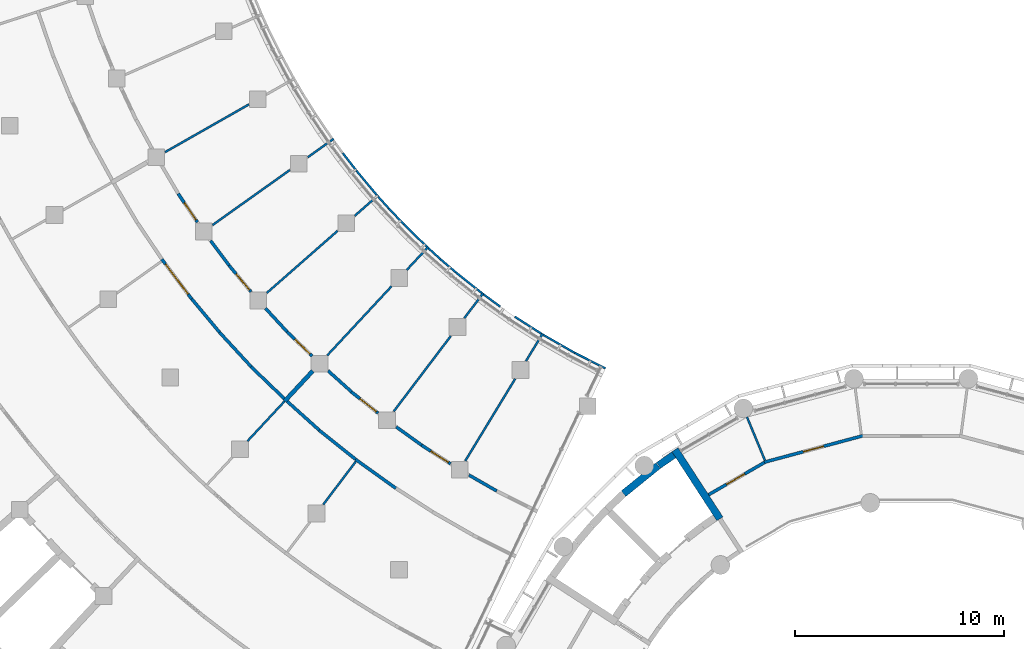
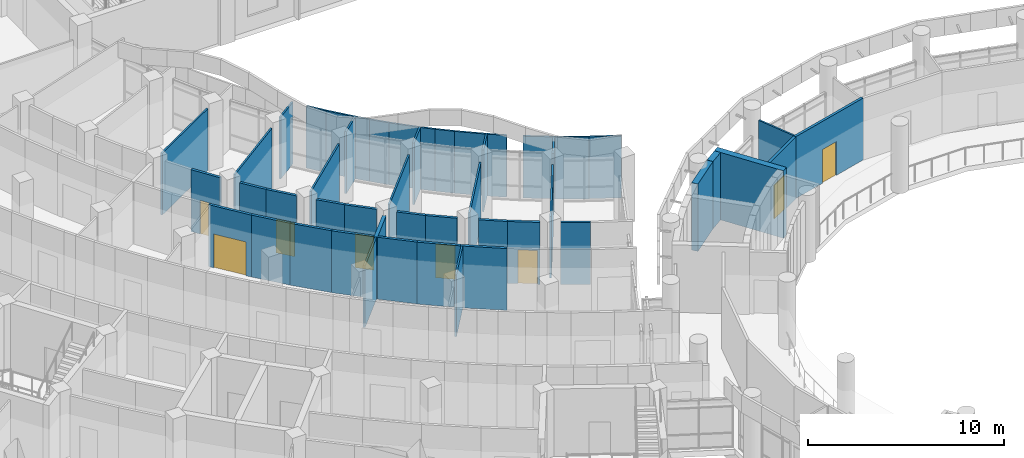
# One storey, part 55 of 109: 49 walls, 8 doors, 8 openings.
"""IFC4 building model written with IfcOpenShell, lengths in metres."""

import ifcopenshell
import ifcopenshell.guid

model = None  # the IFC model being written
_history = None  # IfcOwnerHistory: only IFC2X3 demands one
_inside = {}  # id of a spatial element -> (the spatial element, [elements in it])
_under = {}  # id of a project, library or spatial element -> (it, [spatial elements below it])
_declared = {}  # id of a project -> (the project, [libraries it declares])
_typed = {}  # id of a type object -> (the type object, [elements of that type])
_made_of = {}  # id of a material, layer set ... -> (it, [elements and type objects made of it])


def new_model(schema):
    """Start an empty IFC model of exactly this schema.

    Asked for "IFC4X3", IfcOpenShell would pick the latest addendum, in which some entities
    have other attributes; the version numbers below select the first issue.
    IFC2X3 requires an IfcOwnerHistory on every rooted entity: one is made here for all.
    """
    global model, _history
    if schema == "IFC4X3":
        model = ifcopenshell.file(schema_version=(4, 3, 0, 0))
    else:
        model = ifcopenshell.file(schema=schema)
    _inside.clear()
    _under.clear()
    _declared.clear()
    _typed.clear()
    _made_of.clear()
    _history = None
    if model.schema == "IFC2X3":
        org = make("IfcOrganization", Name="unknown")
        user = make(
            "IfcPersonAndOrganization",
            ThePerson=make("IfcPerson", FamilyName="unknown"),
            TheOrganization=org,
        )
        app = make(
            "IfcApplication",
            ApplicationDeveloper=org,
            Version="unknown",
            ApplicationFullName="unknown",
            ApplicationIdentifier="unknown",
        )
        _history = make(
            "IfcOwnerHistory",
            OwningUser=user,
            OwningApplication=app,
            ChangeAction="ADDED",
            CreationDate=0,
        )
    return model


def make(cls, **values):
    """One entity of the class cls with the attributes given. An attribute that is None is left unset."""
    return model.create_entity(
        cls, **{name: value for name, value in values.items() if value is not None}
    )


def rooted(cls, **values):
    """An entity with a GlobalId (a new one), such as an element, a storey or a relation."""
    return make(cls, GlobalId=ifcopenshell.guid.new(), OwnerHistory=_history, **values)


def si_unit(unit_type, name, prefix=None):
    """IfcSIUnit, for example si_unit("LENGTHUNIT", "METRE", prefix="MILLI")."""
    return make("IfcSIUnit", UnitType=unit_type, Prefix=prefix, Name=name)


def assignment(units):
    """IfcUnitAssignment: the units of a project."""
    return None if units is None else make("IfcUnitAssignment", Units=units)


def point(xyz):
    """IfcCartesianPoint."""
    return None if xyz is None else make("IfcCartesianPoint", Coordinates=xyz)


def direction(xyz):
    """IfcDirection."""
    return None if xyz is None else make("IfcDirection", DirectionRatios=xyz)


def frame(location, z_axis=None, x_axis=None):
    """IfcAxis2Placement3D, a coordinate frame: its origin and axes. An axis left out is left unset."""
    return make(
        "IfcAxis2Placement3D",
        Location=point(location),
        Axis=direction(z_axis),
        RefDirection=direction(x_axis),
    )


def frame_2d(location, x_axis=None):
    """IfcAxis2Placement2D, a coordinate frame in the plane: its origin and x axis."""
    return make(
        "IfcAxis2Placement2D", Location=point(location), RefDirection=direction(x_axis)
    )


def origin():
    """The frame at (0, 0, 0) with its axes left unset."""
    return frame((0.0, 0.0, 0.0))


def place(relative_to, where):
    """IfcLocalPlacement: puts the frame where relative to a parent placement (None: the world)."""
    return make(
        "IfcLocalPlacement", PlacementRelTo=relative_to, RelativePlacement=where
    )


def context(
    kind, dimensions, precision=None, world=None, true_north=None, identifier=None
):
    """IfcGeometricRepresentationContext, for example the 3D "Model" context."""
    return make(
        "IfcGeometricRepresentationContext",
        ContextIdentifier=identifier,
        ContextType=kind,
        CoordinateSpaceDimension=dimensions,
        Precision=precision,
        WorldCoordinateSystem=world,
        TrueNorth=true_north,
    )


def subcontext(parent, identifier, kind, view, scale=None):
    """IfcGeometricRepresentationSubContext, for example "Body" below "Model"."""
    return make(
        "IfcGeometricRepresentationSubContext",
        ContextIdentifier=identifier,
        ContextType=kind,
        ParentContext=parent,
        TargetScale=scale,
        TargetView=view,
    )


def project(units=None, contexts=None):
    """IfcProject with its units and contexts."""
    return rooted(
        "IfcProject",
        Name="project",
        RepresentationContexts=contexts,
        UnitsInContext=assignment(units),
    )


def spatial(cls, under=None, at=None, **own):
    """A site, building, storey or space (cls), placed at a placement, below another one or the project."""
    s = rooted(cls, ObjectPlacement=at, **own)
    if under is not None:
        _under.setdefault(under.id(), (under, []))[1].append(s)
    return s


def profile(cls, at=None, kind="AREA", **sizes):
    """A parametric profile (cls). Its sizes go by their IFC names, for example OverallWidth=200.0."""
    return make(cls, ProfileType=kind, Position=at, **sizes)


def rectangle(**sizes):
    """IfcRectangleProfileDef."""
    return profile("IfcRectangleProfileDef", **sizes)


def extrude(swept, where, along, depth):
    """IfcExtrudedAreaSolid: the profile swept, set in the frame where, extruded along a direction by depth."""
    return make(
        "IfcExtrudedAreaSolid",
        SweptArea=swept,
        Position=where,
        ExtrudedDirection=direction(along),
        Depth=depth,
    )


def shape(context_of_items, identifier, shape_type, items):
    """IfcShapeRepresentation: the items that make up one representation, for example the "Body"."""
    return make(
        "IfcShapeRepresentation",
        ContextOfItems=context_of_items,
        RepresentationIdentifier=identifier,
        RepresentationType=shape_type,
        Items=items,
    )


def material(Name=None, Category=None):
    """IfcMaterial."""
    return make("IfcMaterial", Name=Name, Category=Category)


def layer(
    of_material, thickness, ventilated=None, Name=None, Category=None, Priority=None
):
    """IfcMaterialLayer: one layer of a wall or slab, of a material (None: an air gap)."""
    return make(
        "IfcMaterialLayer",
        Material=of_material,
        LayerThickness=thickness,
        IsVentilated=ventilated,
        Name=Name,
        Category=Category,
        Priority=Priority,
    )


def layer_set(layers, Name=None):
    """IfcMaterialLayerSet."""
    return make("IfcMaterialLayerSet", MaterialLayers=layers, LayerSetName=Name)


def made_of(thing, what):
    """Note that an element or type object is made of a material, layer set ...; save() writes the relation."""
    if what is not None:
        _made_of.setdefault(what.id(), (what, []))[1].append(thing)
    return thing


def type_object(cls, material=None, **own):
    """A type object (cls), such as IfcWallType, which elements share."""
    return made_of(rooted(cls, **own), material)


def element(
    cls,
    number,
    at=None,
    inside=None,
    cuts=None,
    type_object=None,
    material=None,
    context=None,
    identifier="Body",
    shape_type=None,
    held_by="IfcProductDefinitionShape",
    body=None,
    shapes=None,
    **own,
):
    """One element of the class cls, such as IfcWall. Its Tag is "e" and its number.

    at: its placement. inside: the storey or other place that contains it. cuts: it is an
    opening in that element (IfcRelVoidsElement). A single representation is given by context,
    identifier, shape_type and body (its items); several are given by shapes. held_by: the class
    of the entity that holds the representations. save() writes the other relations.
    """
    e = rooted(cls, Tag="e%d" % number, ObjectPlacement=at, **own)
    if body is not None:
        shapes = [shape(context, identifier, shape_type, body)]
    if shapes is not None:
        e.Representation = make(held_by, Representations=shapes)
    if inside is not None:
        _inside.setdefault(inside.id(), (inside, []))[1].append(e)
    if cuts is not None:
        rooted(
            "IfcRelVoidsElement", RelatingBuildingElement=cuts, RelatedOpeningElement=e
        )
    if type_object is not None:
        _typed.setdefault(type_object.id(), (type_object, []))[1].append(e)
    return made_of(e, material)


def fill(opening, filler):
    """IfcRelFillsElement: the door or window that sits in an opening."""
    return rooted(
        "IfcRelFillsElement",
        RelatingOpeningElement=opening,
        RelatedBuildingElement=filler,
    )


def aggregate(whole, parts):
    """IfcRelAggregates: a whole, such as a stair, and the parts it consists of."""
    return rooted("IfcRelAggregates", RelatingObject=whole, RelatedObjects=parts)


def save(model, path):
    """Write the relations noted so far, then the file.

    IfcRelAggregates (storeys below a building ...), IfcRelContainedInSpatialStructure (elements
    in a storey), IfcRelDefinesByType, IfcRelAssociatesMaterial and IfcRelDeclares: one each for
    every whole, place, type object, material and project.
    """
    for whole, parts in _under.values():
        aggregate(whole, parts)
    for where, things in _inside.values():
        rooted(
            "IfcRelContainedInSpatialStructure",
            RelatedElements=things,
            RelatingStructure=where,
        )
    for kind, things in _typed.values():
        rooted("IfcRelDefinesByType", RelatedObjects=things, RelatingType=kind)
    for what, things in _made_of.values():
        rooted("IfcRelAssociatesMaterial", RelatedObjects=things, RelatingMaterial=what)
    for by, libraries in _declared.values():
        rooted("IfcRelDeclares", RelatingContext=by, RelatedDefinitions=libraries)
    model.write(path)


model = new_model("IFC4")

# Units and contexts
model_context = context("Model", 3, precision=1e-05, world=origin(), true_north=direction((0.0, 1.0)))
body_context = subcontext(model_context, "Body", "Model", "MODEL_VIEW")
ifc_project = project(units=[si_unit("LENGTHUNIT", "METRE"), si_unit("AREAUNIT", "SQUARE_METRE"), si_unit("VOLUMEUNIT", "CUBIC_METRE"), si_unit("PLANEANGLEUNIT", "RADIAN"), si_unit("MASSUNIT", "GRAM", prefix="KILO")], contexts=[model_context])

# Site, building, storey
site_placement = place(None, origin())
site = spatial("IfcSite", under=ifc_project, at=site_placement, CompositionType="ELEMENT")
building_placement = place(site_placement, origin())
building = spatial("IfcBuilding", under=site, at=building_placement, Name="Bougainvillea Quay General Hospital", CompositionType="ELEMENT")
storey_placement = place(building_placement, frame((0.0, 0.0, 12.60009765625)))
storey = spatial("IfcBuildingStorey", under=building, at=storey_placement, Name="L02", CompositionType="ELEMENT", Elevation=12.60009765625)

# Walls
ifc_material_1 = material(Name="Gypsum board partition on steel studs", Category="steel")
ifc_layer_1 = layer(ifc_material_1, 0.10009765625)
ifc_layer_set_1 = layer_set([ifc_layer_1], Name="Gypsum board partition on steel studs")
wall_type_1 = type_object("IfcWallType", Name="Partition 100 Gypsum board partition EI 30", PredefinedType="PARTITIONING", material=ifc_layer_set_1)
wall_1_placement = place(storey_placement, frame((84.418212890625, 93.260498046875, 0.0), z_axis=(0.0, 0.0, 1.0), x_axis=(0.603501117064, 0.797362152163, 0.0)))
element("IfcWall", 1, at=wall_1_placement, inside=storey, type_object=wall_type_1, Name="Partition 100 mm EI 30", PredefinedType="PARTITIONING", context=body_context, shape_type="SweptSolid", body=[
    extrude(rectangle(XDim=4.5224609375, YDim=0.10009765625, at=frame_2d((2.26123046875, 0.0))), origin(), (0.0, 0.0, 1.0), 3.849853515625),
])
wall_2_placement = place(storey_placement, frame((87.7978515625, 97.7255859375, 0.0), z_axis=(0.0, 0.0, 1.0), x_axis=(0.603534256712, 0.797337068607, 0.0)))
element("IfcWall", 2, at=wall_2_placement, inside=storey, type_object=wall_type_1, Name="Partition 100 mm EI 30", PredefinedType="PARTITIONING", context=body_context, shape_type="SweptSolid", body=[
    extrude(rectangle(XDim=1.51171875, YDim=0.10009765625, at=frame_2d((0.755859375, 0.0))), origin(), (0.0, 0.0, 1.0), 3.849853515625),
])
wall_3_placement = place(storey_placement, frame((78.338134765625, 98.93310546875, 0.0), z_axis=(0.0, 0.0, 1.0), x_axis=(0.751823288541, 0.659364650863, 0.0)))
element("IfcWall", 3, at=wall_3_placement, inside=storey, type_object=wall_type_1, Name="Partition 100 mm EI 30", PredefinedType="PARTITIONING", context=body_context, shape_type="SweptSolid", body=[
    extrude(rectangle(XDim=4.49951171875, YDim=0.10009765625, at=frame_2d((2.249755859375, 0.0))), origin(), (0.0, 0.0, 1.0), 3.849853515625),
])
wall_4_placement = place(storey_placement, frame((82.54931640625, 102.626220703125, 0.0), z_axis=(0.0, 0.0, 1.0), x_axis=(0.751798799024, 0.659392573347, 0.0)))
element("IfcWall", 4, at=wall_4_placement, inside=storey, type_object=wall_type_1, Name="Partition 100 mm EI 30", PredefinedType="PARTITIONING", context=body_context, shape_type="SweptSolid", body=[
    extrude(rectangle(XDim=1.498046875, YDim=0.10009765625, at=frame_2d((0.7490234375, 0.0))), origin(), (0.0, 0.0, 1.0), 3.849853515625),
])
wall_5_placement = place(storey_placement, frame((87.83984375, 90.884521484375, 0.0), z_axis=(0.0, 0.0, 1.0), x_axis=(0.519618801015, 0.854398210223, 0.0)))
element("IfcWall", 5, at=wall_5_placement, inside=storey, type_object=wall_type_1, Name="Partition 100 mm EI 30", PredefinedType="PARTITIONING", context=body_context, shape_type="SweptSolid", body=[
    extrude(rectangle(XDim=4.60302734375, YDim=0.10009765625, at=frame_2d((2.301513671875, 0.0))), origin(), (0.0, 0.0, 1.0), 3.849853515625),
])
wall_6_placement = place(storey_placement, frame((90.74951171875, 95.66845703125, 0.0), z_axis=(0.0, 0.0, 1.0), x_axis=(0.519552672181, 0.854438424247, 0.0)))
element("IfcWall", 6, at=wall_6_placement, inside=storey, type_object=wall_type_1, Name="Partition 100 mm EI 30", PredefinedType="PARTITIONING", context=body_context, shape_type="SweptSolid", body=[
    extrude(rectangle(XDim=1.552001953125, YDim=0.10009765625, at=frame_2d((0.77587890625, 0.0))), origin(), (0.0, 0.0, 1.0), 3.849853515625),
])
wall_7_placement = place(storey_placement, frame((75.736328125, 102.18310546875, 0.0), z_axis=(0.0, 0.0, 1.0), x_axis=(0.8147152487, 0.579861245072, 0.0)))
element("IfcWall", 7, at=wall_7_placement, inside=storey, type_object=wall_type_1, Name="Partition 100 mm EI 30", PredefinedType="PARTITIONING", context=body_context, shape_type="SweptSolid", body=[
    extrude(rectangle(XDim=4.548095703125, YDim=0.10009765625, at=frame_2d((2.27392578125, 0.0))), origin(), (0.0, 0.0, 1.0), 3.849853515625),
])
wall_8_placement = place(storey_placement, frame((80.29833984375, 105.430419921875, 0.0), z_axis=(0.0, 0.0, 1.0), x_axis=(0.814728250396, 0.579842977027, 0.0)))
element("IfcWall", 8, at=wall_8_placement, inside=storey, type_object=wall_type_1, Name="Partition 100 mm EI 30", PredefinedType="PARTITIONING", context=body_context, shape_type="SweptSolid", body=[
    extrude(rectangle(XDim=1.523681640625, YDim=0.10009765625, at=frame_2d((0.76171875, 0.0))), origin(), (0.0, 0.0, 1.0), 3.849853515625),
])
wall_9_placement = place(storey_placement, frame((81.22705078125, 95.935302734375, 0.0), z_axis=(0.0, 0.0, 1.0), x_axis=(0.681211440492, 0.732086725288, 0.0)))
element("IfcWall", 9, at=wall_9_placement, inside=storey, type_object=wall_type_1, Name="Partition 100 mm EI 30", PredefinedType="PARTITIONING", context=body_context, shape_type="SweptSolid", body=[
    extrude(rectangle(XDim=4.530029296875, YDim=0.10009765625, at=frame_2d((2.26513671875, 0.0))), origin(), (0.0, 0.0, 1.0), 3.849853515625),
])
wall_10_placement = place(storey_placement, frame((85.041015625, 100.034423828125, 0.0), z_axis=(0.0, 0.0, 1.0), x_axis=(0.681296599079, 0.732007475428, 0.0)))
element("IfcWall", 10, at=wall_10_placement, inside=storey, type_object=wall_type_1, Name="Partition 100 mm EI 30", PredefinedType="PARTITIONING", context=body_context, shape_type="SweptSolid", body=[
    extrude(rectangle(XDim=1.5166015625, YDim=0.10009765625, at=frame_2d((0.75830078125, 0.0))), origin(), (0.0, 0.0, 1.0), 3.849853515625),
])
wall_11_placement = place(storey_placement, frame((73.463134765625, 105.67626953125, 0.0), z_axis=(0.0, 0.0, 1.0), x_axis=(0.8692549769, 0.494364020874, 0.0)))
element("IfcWall", 11, at=wall_11_placement, inside=storey, type_object=wall_type_1, Name="Partition 100 mm EI 30", PredefinedType="PARTITIONING", context=body_context, shape_type="SweptSolid", body=[
    extrude(rectangle(XDim=4.62451171875, YDim=0.10009765625, at=frame_2d((2.312255859375, 0.0))), origin(), (0.0, 0.0, 1.0), 3.849853515625),
])
wall_12_placement = place(storey_placement, frame((77.412109375, 91.83544921875, 0.0), z_axis=(0.0, 0.0, 1.0), x_axis=(0.681147107729, 0.732146582067, 0.0)))
element("IfcWall", 12, at=wall_12_placement, inside=storey, type_object=wall_type_1, Name="Partition 100 mm EI 30", PredefinedType="PARTITIONING", context=body_context, shape_type="SweptSolid", body=[
    extrude(rectangle(XDim=2.60888671875, YDim=0.10009765625, at=frame_2d((1.304443359375, 0.0))), origin(), (0.0, 0.0, 1.0), 3.849853515625),
])
wall_13_placement = place(storey_placement, frame((81.0380859375, 88.795654296875, 0.0), z_axis=(0.0, 0.0, 1.0), x_axis=(0.603561177332, 0.797316690668, 0.0)))
element("IfcWall", 13, at=wall_13_placement, inside=storey, type_object=wall_type_1, Name="Partition 100 mm EI 30", PredefinedType="PARTITIONING", context=body_context, shape_type="SweptSolid", body=[
    extrude(rectangle(XDim=2.58447265625, YDim=0.10009765625, at=frame_2d((1.292236328125, 0.0))), origin(), (0.0, 0.0, 1.0), 3.849853515625),
])
wall_14_placement = place(storey_placement, frame((101.335205078125, 92.98779296875, 0.0), z_axis=(0.0, 0.0, 1.0), x_axis=(0.382736345947, -0.923857613213, 0.0)))
element("IfcWall", 14, at=wall_14_placement, inside=storey, type_object=wall_type_1, Name="Partition 100 mm EI 30", PredefinedType="PARTITIONING", context=body_context, shape_type="SweptSolid", body=[
    extrude(rectangle(XDim=2.24267578125, YDim=0.10009765625, at=frame_2d((1.121337890625, 0.0))), origin(), (0.0, 0.0, 1.0), 3.849853515625),
])
wall_15_placement = place(storey_placement, frame((91.572265625, 96.927734375, 0.0), z_axis=(0.0, 0.0, 1.0), x_axis=(0.867607434085, -0.497249776591, 0.0)))
element("IfcWall", 15, at=wall_15_placement, inside=storey, type_object=wall_type_1, Name="Partition 100 mm EI 30", PredefinedType="PARTITIONING", context=body_context, shape_type="SweptSolid", body=[
    extrude(rectangle(XDim=1.750732421875, YDim=0.10009765625, at=frame_2d((0.87548828125, 0.0))), origin(), (0.0, 0.0, 1.0), 3.849853515625),
])
wall_16_placement = place(storey_placement, frame((93.09033203125, 96.060302734375, 0.0), z_axis=(0.0, 0.0, 1.0), x_axis=(0.891511605142, -0.452997856393, 0.0)))
element("IfcWall", 16, at=wall_16_placement, inside=storey, type_object=wall_type_1, Name="Partition 100 mm EI 30", PredefinedType="PARTITIONING", context=body_context, shape_type="SweptSolid", body=[
    extrude(rectangle(XDim=1.65185546875, YDim=0.10009765625, at=frame_2d((0.825927734375, 0.0))), origin(), (0.0, 0.0, 1.0), 3.849853515625),
])
wall_17_placement = place(storey_placement, frame((87.390869140625, 99.916015625, 0.0), z_axis=(0.0, 0.0, 1.0), x_axis=(0.7827431138, -0.622344934742, 0.0)))
element("IfcWall", 17, at=wall_17_placement, inside=storey, type_object=wall_type_1, Name="Partition 100 mm EI 30", PredefinedType="PARTITIONING", context=body_context, shape_type="SweptSolid", body=[
    extrude(rectangle(XDim=1.59814453125, YDim=0.10009765625, at=frame_2d((0.799072265625, 0.0))), origin(), (0.0, 0.0, 1.0), 3.849853515625),
])
wall_18_placement = place(storey_placement, frame((90.2099609375, 97.798095703125, 0.0), z_axis=(0.0, 0.0, 1.0), x_axis=(0.841976481819, -0.539514229713, 0.0)))
element("IfcWall", 18, at=wall_18_placement, inside=storey, type_object=wall_type_1, Name="Partition 100 mm EI 30", PredefinedType="PARTITIONING", context=body_context, shape_type="SweptSolid", body=[
    extrude(rectangle(XDim=1.51904296875, YDim=0.10009765625, at=frame_2d((0.759521484375, 0.0))), origin(), (0.0, 0.0, 1.0), 3.849853515625),
])
wall_19_placement = place(storey_placement, frame((84.897216796875, 102.223876953125, 0.0), z_axis=(0.0, 0.0, 1.0), x_axis=(0.715491637519, -0.698621297013, 0.0)))
element("IfcWall", 19, at=wall_19_placement, inside=storey, type_object=wall_type_1, Name="Partition 100 mm EI 30", PredefinedType="PARTITIONING", context=body_context, shape_type="SweptSolid", body=[
    extrude(rectangle(XDim=1.54833984375, YDim=0.10009765625, at=frame_2d((0.774169921875, 0.0))), origin(), (0.0, 0.0, 1.0), 3.849853515625),
])
wall_20_placement = place(storey_placement, frame((82.64501953125, 104.768310546875, 0.0), z_axis=(0.0, 0.0, 1.0), x_axis=(0.641529064264, -0.767098728785, 0.0)))
element("IfcWall", 20, at=wall_20_placement, inside=storey, type_object=wall_type_1, Name="Partition 100 mm EI 30", PredefinedType="PARTITIONING", context=body_context, shape_type="SweptSolid", body=[
    extrude(rectangle(XDim=1.4990234375, YDim=0.10009765625, at=frame_2d((0.74951171875, 0.0))), origin(), (0.0, 0.0, 1.0), 3.849853515625),
])
wall_21_placement = place(storey_placement, frame((81.977294921875, 105.62841796875, 0.0), z_axis=(0.0, 0.0, 1.0), x_axis=(0.61437453726, -0.78901452963, 0.0)))
element("IfcWall", 21, at=wall_21_placement, inside=storey, type_object=wall_type_1, Name="Partition 100 mm EI 30", PredefinedType="PARTITIONING", context=body_context, shape_type="SweptSolid", body=[
    extrude(rectangle(XDim=1.09033203125, YDim=0.10009765625, at=frame_2d((0.545166015625, 0.0))), origin(), (0.0, 0.0, 1.0), 3.849853515625),
])
wall_22_placement = place(storey_placement, frame((88.720947265625, 98.861083984375, 0.0), z_axis=(0.0, 0.0, 1.0), x_axis=(0.806061198055, -0.591832193269, 0.0)))
element("IfcWall", 22, at=wall_22_placement, inside=storey, type_object=wall_type_1, Name="Partition 100 mm EI 30", PredefinedType="PARTITIONING", context=body_context, shape_type="SweptSolid", body=[
    extrude(rectangle(XDim=0.99365234375, YDim=0.10009765625, at=frame_2d((0.496826171875, 0.0))), origin(), (0.0, 0.0, 1.0), 3.849853515625),
])
wall_23_placement = place(storey_placement, frame((84.180419921875, 102.97607421875, 0.0), z_axis=(0.0, 0.0, 1.0), x_axis=(0.691094804644, -0.722764118502, 0.0)))
element("IfcWall", 23, at=wall_23_placement, inside=storey, type_object=wall_type_1, Name="Partition 100 mm EI 30", PredefinedType="PARTITIONING", context=body_context, shape_type="SweptSolid", body=[
    extrude(rectangle(XDim=1.040771484375, YDim=0.10009765625, at=frame_2d((0.5205078125, 0.0))), origin(), (0.0, 0.0, 1.0), 3.849853515625),
])
wall_24_placement = place(storey_placement, frame((86.639892578125, 100.5615234375, 0.0), z_axis=(0.0, 0.0, 1.0), x_axis=(0.759638737838, -0.650345283658, 0.0)))
element("IfcWall", 24, at=wall_24_placement, inside=storey, type_object=wall_type_1, Name="Partition 100 mm EI 30", PredefinedType="PARTITIONING", context=body_context, shape_type="SweptSolid", body=[
    extrude(rectangle(XDim=0.99169921875, YDim=0.10009765625, at=frame_2d((0.495849609375, 0.0))), origin(), (0.0, 0.0, 1.0), 3.849853515625),
])
wall_25_placement = place(storey_placement, frame((83.671875, 103.54345703125, 0.0), z_axis=(0.0, 0.0, 1.0), x_axis=(0.66903540409, -0.743230534945, 0.0)))
element("IfcWall", 25, at=wall_25_placement, inside=storey, type_object=wall_type_1, Name="Partition 100 mm EI 30", PredefinedType="PARTITIONING", context=body_context, shape_type="SweptSolid", body=[
    extrude(rectangle(XDim=0.763427734375, YDim=0.10009765625, at=frame_2d((0.3818359375, 0.0))), origin(), (0.0, 0.0, 1.0), 3.849853515625),
])
wall_26_placement = place(storey_placement, frame((86.077392578125, 101.073974609375, 0.0), z_axis=(0.0, 0.0, 1.0), x_axis=(0.740693092669, -0.671843540173, 0.0)))
element("IfcWall", 26, at=wall_26_placement, inside=storey, type_object=wall_type_1, Name="Partition 100 mm EI 30", PredefinedType="PARTITIONING", context=body_context, shape_type="SweptSolid", body=[
    extrude(rectangle(XDim=0.762451171875, YDim=0.10009765625, at=frame_2d((0.38134765625, 0.0))), origin(), (0.0, 0.0, 1.0), 3.849853515625),
])

# Wall, opening, door
ifc_material_2 = material(Name="Gypsum board partition on steel studs, insulated", Category="steel")
ifc_layer_2 = layer(ifc_material_2, 0.14990234375)
ifc_layer_set_2 = layer_set([ifc_layer_2], Name="Gypsum board partition on steel studs, insulated")
wall_type_2 = type_object("IfcWallType", Name="Partition 150 Gypsum board partition EI 30", PredefinedType="PARTITIONING", material=ifc_layer_set_2)
wall_27_placement = place(storey_placement, frame((102.152587890625, 90.820556640625, 0.0), z_axis=(0.0, 0.0, 1.0), x_axis=(0.965901416029, 0.258910128254, 0.0)))
wall_27 = element("IfcWall", 27, at=wall_27_placement, inside=storey, type_object=wall_type_2, Name="Partition 150 mm EI 30", PredefinedType="PARTITIONING", context=body_context, shape_type="SweptSolid", body=[
    extrude(rectangle(XDim=4.908203125, YDim=0.14990234375, at=frame_2d((2.4541015625, 0.0))), origin(), (0.0, 0.0, 1.0), 3.849853515625),
])
opening_1_placement = place(wall_27_placement, frame((1.9541015625, 0.0, 0.0)))
opening_1 = element("IfcOpeningElement", 28, at=opening_1_placement, cuts=wall_27, Name="Opening L02.241", PredefinedType="OPENING", context=body_context, shape_type="SweptSolid", body=[
    extrude(rectangle(XDim=1.0, YDim=2.10009765625, at=frame_2d((0.5, 1.050048828125))), frame((0.0, 0.0849609375, 0.0), z_axis=(0.0, -1.0, 0.0), x_axis=(1.0, 0.0, 0.0)), (0.0, 0.0, 1.0), 0.169921875),
])
ifc_material_3 = material(Name="Solid-core timber door leaf in steel frame", Category="steel")
door_type_1 = type_object("IfcDoorType", Name="Single leaf door 1000x2100 FD30S", OperationType="NOTDEFINED", PredefinedType="DOOR", material=ifc_material_3)
door_1_placement = place(opening_1_placement, origin())
door_1 = element("IfcDoor", 29, at=door_1_placement, inside=storey, type_object=door_type_1, Name="DT15 L02.241", OperationType="SINGLE_SWING_LEFT", OverallHeight=2.10009765625, OverallWidth=1.0, PredefinedType="DOOR", context=body_context, shape_type="SweptSolid", body=[
    extrude(rectangle(XDim=1.0, YDim=2.10009765625, at=frame_2d((0.5, 1.050048828125))), frame((0.0, 0.02490234375, 0.0), z_axis=(0.0, -1.0, 0.0), x_axis=(1.0, 0.0, 0.0)), (0.0, 0.0, 1.0), 0.050048828125),
])
fill(opening_1, door_1)

wall_28_placement = place(storey_placement, frame((99.498779296875, 89.266357421875, 0.0), z_axis=(0.0, 0.0, 1.0), x_axis=(0.866071120369, 0.499920808191, 0.0)))
wall_28 = element("IfcWall", 30, at=wall_28_placement, inside=storey, type_object=wall_type_2, Name="Partition 150 mm EI 30", PredefinedType="PARTITIONING", context=body_context, shape_type="SweptSolid", body=[
    extrude(rectangle(XDim=3.08984375, YDim=0.14990234375, at=frame_2d((1.544921875, 0.0))), origin(), (0.0, 0.0, 1.0), 3.849853515625),
])
opening_2_placement = place(wall_28_placement, frame((0.984619140625, 0.0, 0.0)))
opening_2 = element("IfcOpeningElement", 31, at=opening_2_placement, cuts=wall_28, Name="Opening L02.242", PredefinedType="OPENING", context=body_context, shape_type="SweptSolid", body=[
    extrude(rectangle(XDim=1.0, YDim=2.10009765625, at=frame_2d((0.5, 1.050048828125))), frame((0.0, 0.0849609375, 0.0), z_axis=(0.0, -1.0, 0.0), x_axis=(1.0, 0.0, 0.0)), (0.0, 0.0, 1.0), 0.169921875),
])
door_2_placement = place(opening_2_placement, origin())
door_2 = element("IfcDoor", 32, at=door_2_placement, inside=storey, type_object=door_type_1, Name="DT15 L02.242", OperationType="SINGLE_SWING_LEFT", OverallHeight=2.10009765625, OverallWidth=1.0, PredefinedType="DOOR", context=body_context, shape_type="SweptSolid", body=[
    extrude(rectangle(XDim=1.0, YDim=2.10009765625, at=frame_2d((0.5, 1.050048828125))), frame((0.0, 0.02490234375, 0.0), z_axis=(0.0, -1.0, 0.0), x_axis=(1.0, 0.0, 0.0)), (0.0, 0.0, 1.0), 0.050048828125),
])
fill(opening_2, door_2)

wall_29_placement = place(storey_placement, frame((73.306884765625, 100.547119140625, 0.0), z_axis=(0.0, 0.0, 1.0), x_axis=(0.600377090661, -0.799717043091, 0.0)))
wall_29 = element("IfcWall", 33, at=wall_29_placement, inside=storey, type_object=wall_type_2, Name="Partition 150 mm EI 30", PredefinedType="PARTITIONING", context=body_context, shape_type="SweptSolid", body=[
    extrude(rectangle(XDim=2.382080078125, YDim=0.14990234375, at=frame_2d((1.19091796875, 0.0))), origin(), (0.0, 0.0, 1.0), 3.849853515625),
])
opening_3_placement = place(wall_29_placement, frame((0.291015625, 0.0, 0.0)))
opening_3 = element("IfcOpeningElement", 34, at=opening_3_placement, cuts=wall_29, Name="Opening L02.179", PredefinedType="OPENING", context=body_context, shape_type="SweptSolid", body=[
    extrude(rectangle(XDim=1.800048828125, YDim=2.10009765625, at=frame_2d((0.89990234375, 1.050048828125))), frame((0.0, 0.0849609375, 0.0), z_axis=(0.0, -1.0, 0.0), x_axis=(1.0, 0.0, 0.0)), (0.0, 0.0, 1.0), 0.169921875),
])
ifc_material_4 = material(Name="Solid-core timber door leaves in steel frame", Category="steel")
door_type_2 = type_object("IfcDoorType", Name="Double leaf door 1800x2100", OperationType="DOUBLE_DOOR_SINGLE_SWING", PredefinedType="DOOR", material=ifc_material_4)
door_3_placement = place(opening_3_placement, origin())
door_3 = element("IfcDoor", 35, at=door_3_placement, inside=storey, type_object=door_type_2, Name="DT08 L02.179", OperationType="DOUBLE_DOOR_SINGLE_SWING", OverallHeight=2.10009765625, OverallWidth=1.800048828125, PredefinedType="DOOR", context=body_context, shape_type="SweptSolid", body=[
    extrude(rectangle(XDim=1.800048828125, YDim=2.10009765625, at=frame_2d((0.89990234375, 1.050048828125))), frame((0.0, 0.02490234375, 0.0), z_axis=(0.0, -1.0, 0.0), x_axis=(1.0, 0.0, 0.0)), (0.0, 0.0, 1.0), 0.050048828125),
])
fill(opening_3, door_3)

# Walls
wall_30_placement = place(storey_placement, frame((82.5830078125, 90.960693359375, 0.0), z_axis=(0.0, 0.0, 1.0), x_axis=(0.812456963848, -0.583021167622, 0.0)))
element("IfcWall", 36, at=wall_30_placement, inside=storey, type_object=wall_type_2, Name="Partition 150 mm EI 30", PredefinedType="PARTITIONING", context=body_context, shape_type="SweptSolid", body=[
    extrude(rectangle(XDim=2.38134765625, YDim=0.14990234375, at=frame_2d((1.190673828125, 0.0))), origin(), (0.0, 0.0, 1.0), 3.849853515625),
])
wall_31_placement = place(storey_placement, frame((80.84130859375, 92.355712890625, 0.0), z_axis=(0.0, 0.0, 1.0), x_axis=(0.781561025488, -0.62382879337, 0.0)))
element("IfcWall", 37, at=wall_31_placement, inside=storey, type_object=wall_type_2, Name="Partition 150 mm EI 30", PredefinedType="PARTITIONING", context=body_context, shape_type="SweptSolid", body=[
    extrude(rectangle(XDim=2.235107421875, YDim=0.14990234375, at=frame_2d((1.11767578125, 0.0))), origin(), (0.0, 0.0, 1.0), 3.849853515625),
])
wall_32_placement = place(storey_placement, frame((77.5791015625, 95.39990234375, 0.0), z_axis=(0.0, 0.0, 1.0), x_axis=(0.720594722174, -0.693356507415, 0.0)))
element("IfcWall", 38, at=wall_32_placement, inside=storey, type_object=wall_type_2, Name="Partition 150 mm EI 30", PredefinedType="PARTITIONING", context=body_context, shape_type="SweptSolid", body=[
    extrude(rectangle(XDim=2.204833984375, YDim=0.14990234375, at=frame_2d((1.1025390625, 0.0))), origin(), (0.0, 0.0, 1.0), 3.849853515625),
])
wall_33_placement = place(storey_placement, frame((76.069091796875, 97.043212890625, 0.0), z_axis=(0.0, 0.0, 1.0), x_axis=(0.678030610295, -0.735033666918, 0.0)))
element("IfcWall", 39, at=wall_33_placement, inside=storey, type_object=wall_type_2, Name="Partition 150 mm EI 30", PredefinedType="PARTITIONING", context=body_context, shape_type="SweptSolid", body=[
    extrude(rectangle(XDim=2.235595703125, YDim=0.14990234375, at=frame_2d((1.11767578125, 0.0))), origin(), (0.0, 0.0, 1.0), 3.849853515625),
])
wall_34_placement = place(storey_placement, frame((79.31640625, 93.7333984375, 0.0), z_axis=(0.0, 0.0, 1.0), x_axis=(0.74346507851, -0.668774758073, 0.0)))
element("IfcWall", 40, at=wall_34_placement, inside=storey, type_object=wall_type_2, Name="Partition 150 mm EI 30", PredefinedType="PARTITIONING", context=body_context, shape_type="SweptSolid", body=[
    extrude(rectangle(XDim=2.059326171875, YDim=0.14990234375, at=frame_2d((1.02978515625, 0.0))), origin(), (0.0, 0.0, 1.0), 3.849853515625),
])
wall_35_placement = place(storey_placement, frame((74.73779296875, 98.647216796875, 0.0), z_axis=(0.0, 0.0, 1.0), x_axis=(0.640000381719, -0.768374590548, 0.0)))
element("IfcWall", 41, at=wall_35_placement, inside=storey, type_object=wall_type_2, Name="Partition 150 mm EI 30", PredefinedType="PARTITIONING", context=body_context, shape_type="SweptSolid", body=[
    extrude(rectangle(XDim=2.088134765625, YDim=0.14990234375, at=frame_2d((1.0439453125, 0.0))), origin(), (0.0, 0.0, 1.0), 3.849853515625),
])

# Wall, opening, door
wall_36_placement = place(storey_placement, frame((74.086181640625, 103.690185546875, 0.0), z_axis=(0.0, 0.0, 1.0), x_axis=(0.558985889655, -0.829177167538, 0.0)))
wall_36 = element("IfcWall", 42, at=wall_36_placement, inside=storey, type_object=wall_type_2, Name="Partition 150 mm EI 30", PredefinedType="PARTITIONING", context=body_context, shape_type="SweptSolid", body=[
    extrude(rectangle(XDim=1.653564453125, YDim=0.14990234375, at=frame_2d((0.82666015625, 0.0))), origin(), (0.0, 0.0, 1.0), 3.849853515625),
])
opening_4_placement = place(wall_36_placement, frame((0.5302734375, 0.0, 0.0)))
opening_4 = element("IfcOpeningElement", 43, at=opening_4_placement, cuts=wall_36, Name="Opening L02.215", PredefinedType="OPENING", context=body_context, shape_type="SweptSolid", body=[
    extrude(rectangle(XDim=1.0, YDim=2.10009765625, at=frame_2d((0.5, 1.050048828125))), frame((0.0, 0.0849609375, 0.0), z_axis=(0.0, -1.0, 0.0), x_axis=(1.0, 0.0, 0.0)), (0.0, 0.0, 1.0), 0.169921875),
])
door_4_placement = place(opening_4_placement, origin())
door_4 = element("IfcDoor", 44, at=door_4_placement, inside=storey, type_object=door_type_1, Name="DT15 L02.215", OperationType="SINGLE_SWING_RIGHT", OverallHeight=2.10009765625, OverallWidth=1.0, PredefinedType="DOOR", context=body_context, shape_type="SweptSolid", body=[
    extrude(rectangle(XDim=1.0, YDim=2.10009765625, at=frame_2d((0.5, 1.050048828125))), frame((0.0, 0.02490234375, 0.0), z_axis=(0.0, -1.0, 0.0), x_axis=(1.0, 0.0, 0.0)), (0.0, 0.0, 1.0), 0.050048828125),
])
fill(opening_4, door_4)

wall_37_placement = place(storey_placement, frame((82.384521484375, 94.19384765625, 0.0), z_axis=(0.0, 0.0, 1.0), x_axis=(0.781756052881, -0.623584375833, 0.0)))
wall_37 = element("IfcWall", 45, at=wall_37_placement, inside=storey, type_object=wall_type_2, Name="Partition 150 mm EI 30", PredefinedType="PARTITIONING", context=body_context, shape_type="SweptSolid", body=[
    extrude(rectangle(XDim=1.63623046875, YDim=0.14990234375, at=frame_2d((0.818115234375, 0.0))), origin(), (0.0, 0.0, 1.0), 3.849853515625),
])
opening_5_placement = place(wall_37_placement, frame((0.5302734375, 0.0, 0.0)))
opening_5 = element("IfcOpeningElement", 46, at=opening_5_placement, cuts=wall_37, Name="Opening L02.211", PredefinedType="OPENING", context=body_context, shape_type="SweptSolid", body=[
    extrude(rectangle(XDim=1.0, YDim=2.10009765625, at=frame_2d((0.5, 1.050048828125))), frame((0.0, 0.0849609375, 0.0), z_axis=(0.0, -1.0, 0.0), x_axis=(1.0, 0.0, 0.0)), (0.0, 0.0, 1.0), 0.169921875),
])
door_5_placement = place(opening_5_placement, origin())
door_5 = element("IfcDoor", 47, at=door_5_placement, inside=storey, type_object=door_type_1, Name="DT15 L02.211", OperationType="SINGLE_SWING_RIGHT", OverallHeight=2.10009765625, OverallWidth=1.0, PredefinedType="DOOR", context=body_context, shape_type="SweptSolid", body=[
    extrude(rectangle(XDim=1.0, YDim=2.10009765625, at=frame_2d((0.5, 1.050048828125))), frame((0.0, 0.02490234375, 0.0), z_axis=(0.0, -1.0, 0.0), x_axis=(1.0, 0.0, 0.0)), (0.0, 0.0, 1.0), 0.050048828125),
])
fill(opening_5, door_5)

wall_38_placement = place(storey_placement, frame((85.743896484375, 91.6416015625, 0.0), z_axis=(0.0, 0.0, 1.0), x_axis=(0.840848932624, -0.54126987031, 0.0)))
wall_38 = element("IfcWall", 48, at=wall_38_placement, inside=storey, type_object=wall_type_2, Name="Partition 150 mm EI 30", PredefinedType="PARTITIONING", context=body_context, shape_type="SweptSolid", body=[
    extrude(rectangle(XDim=1.66162109375, YDim=0.14990234375, at=frame_2d((0.830810546875, 0.0))), origin(), (0.0, 0.0, 1.0), 3.849853515625),
])
opening_6_placement = place(wall_38_placement, frame((0.52978515625, 0.0, 0.0)))
opening_6 = element("IfcOpeningElement", 49, at=opening_6_placement, cuts=wall_38, Name="Opening L02.210", PredefinedType="OPENING", context=body_context, shape_type="SweptSolid", body=[
    extrude(rectangle(XDim=1.0, YDim=2.10009765625, at=frame_2d((0.5, 1.050048828125))), frame((0.0, 0.0849609375, 0.0), z_axis=(0.0, -1.0, 0.0), x_axis=(1.0, 0.0, 0.0)), (0.0, 0.0, 1.0), 0.169921875),
])
door_6_placement = place(opening_6_placement, origin())
door_6 = element("IfcDoor", 50, at=door_6_placement, inside=storey, type_object=door_type_1, Name="DT15 L02.210", OperationType="SINGLE_SWING_RIGHT", OverallHeight=2.10009765625, OverallWidth=1.0, PredefinedType="DOOR", context=body_context, shape_type="SweptSolid", body=[
    extrude(rectangle(XDim=1.0, YDim=2.10009765625, at=frame_2d((0.5, 1.050048828125))), frame((0.0, 0.02490234375, 0.0), z_axis=(0.0, -1.0, 0.0), x_axis=(1.0, 0.0, 0.0)), (0.0, 0.0, 1.0), 0.050048828125),
])
fill(opening_6, door_6)

wall_39_placement = place(storey_placement, frame((79.301025390625, 97.072021484375, 0.0), z_axis=(0.0, 0.0, 1.0), x_axis=(0.720465115712, -0.69349118022, 0.0)))
wall_39 = element("IfcWall", 51, at=wall_39_placement, inside=storey, type_object=wall_type_2, Name="Partition 150 mm EI 30", PredefinedType="PARTITIONING", context=body_context, shape_type="SweptSolid", body=[
    extrude(rectangle(XDim=1.68359375, YDim=0.14990234375, at=frame_2d((0.841796875, 0.0))), origin(), (0.0, 0.0, 1.0), 3.849853515625),
])
opening_7_placement = place(wall_39_placement, frame((0.52978515625, 0.0, 0.0)))
opening_7 = element("IfcOpeningElement", 52, at=opening_7_placement, cuts=wall_39, Name="Opening L02.213", PredefinedType="OPENING", context=body_context, shape_type="SweptSolid", body=[
    extrude(rectangle(XDim=1.0, YDim=2.10009765625, at=frame_2d((0.5, 1.050048828125))), frame((0.0, 0.0849609375, 0.0), z_axis=(0.0, -1.0, 0.0), x_axis=(1.0, 0.0, 0.0)), (0.0, 0.0, 1.0), 0.169921875),
])
door_7_placement = place(opening_7_placement, origin())
door_7 = element("IfcDoor", 53, at=door_7_placement, inside=storey, type_object=door_type_1, Name="DT15 L02.213", OperationType="SINGLE_SWING_RIGHT", OverallHeight=2.10009765625, OverallWidth=1.0, PredefinedType="DOOR", context=body_context, shape_type="SweptSolid", body=[
    extrude(rectangle(XDim=1.0, YDim=2.10009765625, at=frame_2d((0.5, 1.050048828125))), frame((0.0, 0.02490234375, 0.0), z_axis=(0.0, -1.0, 0.0), x_axis=(1.0, 0.0, 0.0)), (0.0, 0.0, 1.0), 0.050048828125),
])
fill(opening_7, door_7)

# Walls
wall_40_placement = place(storey_placement, frame((84.535888671875, 92.51318359375, 0.0), z_axis=(0.0, 0.0, 1.0), x_axis=(0.81243891359, -0.583046320359, 0.0)))
element("IfcWall", 54, at=wall_40_placement, inside=storey, type_object=wall_type_2, Name="Partition 150 mm EI 30", PredefinedType="PARTITIONING", context=body_context, shape_type="SweptSolid", body=[
    extrude(rectangle(XDim=1.4931640625, YDim=0.14990234375, at=frame_2d((0.74658203125, 0.0))), origin(), (0.0, 0.0, 1.0), 3.849853515625),
])
wall_41_placement = place(storey_placement, frame((78.27001953125, 98.1953125, 0.0), z_axis=(0.0, 0.0, 1.0), x_axis=(0.678273469528, -0.73480956753, 0.0)))
element("IfcWall", 55, at=wall_41_placement, inside=storey, type_object=wall_type_2, Name="Partition 150 mm EI 30", PredefinedType="PARTITIONING", context=body_context, shape_type="SweptSolid", body=[
    extrude(rectangle(XDim=1.528564453125, YDim=0.14990234375, at=frame_2d((0.76416015625, 0.0))), origin(), (0.0, 0.0, 1.0), 3.849853515625),
])

# Wall, opening, door
wall_42_placement = place(storey_placement, frame((76.52587890625, 100.24853515625, 0.0), z_axis=(0.0, 0.0, 1.0), x_axis=(0.640038659854, -0.768342706019, 0.0)))
wall_42 = element("IfcWall", 56, at=wall_42_placement, inside=storey, type_object=wall_type_2, Name="Partition 150 mm EI 30", PredefinedType="PARTITIONING", context=body_context, shape_type="SweptSolid", body=[
    extrude(rectangle(XDim=1.64794921875, YDim=0.14990234375, at=frame_2d((0.823974609375, 0.0))), origin(), (0.0, 0.0, 1.0), 3.849853515625),
])
opening_8_placement = place(wall_42_placement, frame((0.52978515625, 0.0, 0.0)))
opening_8 = element("IfcOpeningElement", 57, at=opening_8_placement, cuts=wall_42, Name="Opening L02.214", PredefinedType="OPENING", context=body_context, shape_type="SweptSolid", body=[
    extrude(rectangle(XDim=1.0, YDim=2.10009765625, at=frame_2d((0.5, 1.050048828125))), frame((0.0, 0.0849609375, 0.0), z_axis=(0.0, -1.0, 0.0), x_axis=(1.0, 0.0, 0.0)), (0.0, 0.0, 1.0), 0.169921875),
])
door_8_placement = place(opening_8_placement, origin())
door_8 = element("IfcDoor", 58, at=door_8_placement, inside=storey, type_object=door_type_1, Name="DT15 L02.214", OperationType="SINGLE_SWING_RIGHT", OverallHeight=2.10009765625, OverallWidth=1.0, PredefinedType="DOOR", context=body_context, shape_type="SweptSolid", body=[
    extrude(rectangle(XDim=1.0, YDim=2.10009765625, at=frame_2d((0.5, 1.050048828125))), frame((0.0, 0.02490234375, 0.0), z_axis=(0.0, -1.0, 0.0), x_axis=(1.0, 0.0, 0.0)), (0.0, 0.0, 1.0), 0.050048828125),
])
fill(opening_8, door_8)

# Walls
wall_43_placement = place(storey_placement, frame((75.641357421875, 101.433837890625, 0.0), z_axis=(0.0, 0.0, 1.0), x_axis=(0.60023710435, -0.799822116825, 0.0)))
element("IfcWall", 59, at=wall_43_placement, inside=storey, type_object=wall_type_2, Name="Partition 150 mm EI 30", PredefinedType="PARTITIONING", context=body_context, shape_type="SweptSolid", body=[
    extrude(rectangle(XDim=1.482666015625, YDim=0.14990234375, at=frame_2d((0.7412109375, 0.0))), origin(), (0.0, 0.0, 1.0), 3.849853515625),
])
wall_44_placement = place(storey_placement, frame((88.017578125, 90.20849609375, 0.0), z_axis=(0.0, 0.0, 1.0), x_axis=(0.867174234795, -0.498004865947, 0.0)))
element("IfcWall", 60, at=wall_44_placement, inside=storey, type_object=wall_type_2, Name="Partition 150 mm EI 30", PredefinedType="PARTITIONING", context=body_context, shape_type="SweptSolid", body=[
    extrude(rectangle(XDim=1.534912109375, YDim=0.14990234375, at=frame_2d((0.767578125, 0.0))), origin(), (0.0, 0.0, 1.0), 3.849853515625),
])
wall_45_placement = place(storey_placement, frame((81.2734375, 95.19873046875, 0.0), z_axis=(0.0, 0.0, 1.0), x_axis=(0.743576936712, -0.668650386368, 0.0)))
element("IfcWall", 61, at=wall_45_placement, inside=storey, type_object=wall_type_2, Name="Partition 150 mm EI 30", PredefinedType="PARTITIONING", context=body_context, shape_type="SweptSolid", body=[
    extrude(rectangle(XDim=1.502197265625, YDim=0.14990234375, at=frame_2d((0.7509765625, 0.0))), origin(), (0.0, 0.0, 1.0), 3.849853515625),
])
ifc_material_5 = material(Name="Fire-rated autoclaved aerated block wall, plastered")
ifc_layer_3 = layer(ifc_material_5, 0.199951171875)
ifc_layer_set_3 = layer_set([ifc_layer_3], Name="Fire-rated autoclaved aerated block wall, plastered")
wall_type_3 = type_object("IfcWallType", Name="Partition 200 Fire-rated autoclaved aerated block wall EI 120", PredefinedType="SOLIDWALL", material=ifc_layer_set_3)
wall_46_placement = place(storey_placement, frame((79.18994140625, 93.74609375, 0.0), z_axis=(0.0, 0.0, 1.0), x_axis=(0.681171780306, 0.732123627344, 0.0)))
element("IfcWall", 62, at=wall_46_placement, inside=storey, type_object=wall_type_3, Name="Partition 200 mm EI 120", PredefinedType="SOLIDWALL", context=body_context, shape_type="SweptSolid", body=[
    extrude(rectangle(XDim=1.97412109375, YDim=0.199951171875, at=frame_2d((0.987060546875, 0.0))), origin(), (0.0, 0.0, 1.0), 3.849853515625),
])
ifc_material_6 = material(Name="Concrete C40", Category="concrete")
ifc_layer_4 = layer(ifc_material_6, 0.35009765625)
ifc_layer_set_4 = layer_set([ifc_layer_4], Name="Concrete C40")
wall_type_4 = type_object("IfcWallType", Name="RC SHEAR WALL 350 C40", PredefinedType="SHEAR", material=ifc_layer_set_4)
wall_47_placement = place(storey_placement, frame((97.086669921875, 90.66162109375, 0.0), z_axis=(0.0, 0.0, 1.0), x_axis=(-0.777231602748, -0.629214618146, 0.0)))
element("IfcWall", 63, at=wall_47_placement, inside=storey, type_object=wall_type_4, Name="Shear wall L02", PredefinedType="SHEAR", context=body_context, shape_type="SweptSolid", body=[
    extrude(rectangle(XDim=2.142578125, YDim=0.35009765625, at=frame_2d((1.0712890625, 0.0))), origin(), (0.0, 0.0, 1.0), 4.199951171875),
])
wall_48_placement = place(storey_placement, frame((97.09765625, 90.669921875, 0.0), z_axis=(0.0, 0.0, 1.0), x_axis=(0.823914707919, 0.566713820261, 0.0)))
element("IfcWall", 64, at=wall_48_placement, inside=storey, type_object=wall_type_4, Name="Shear wall L02", PredefinedType="SHEAR", context=body_context, shape_type="SweptSolid", body=[
    extrude(rectangle(XDim=0.89599609375, YDim=0.35009765625, at=frame_2d((0.447998046875, 0.0))), origin(), (0.0, 0.0, 1.0), 4.199951171875),
])
wall_49_placement = place(storey_placement, frame((97.884765625, 91.423828125, 0.0), z_axis=(0.0, 0.0, 1.0), x_axis=(0.544577782893, -0.838710342359, 0.0)))
element("IfcWall", 65, at=wall_49_placement, inside=storey, type_object=wall_type_4, Name="Shear wall L02", PredefinedType="SHEAR", context=body_context, shape_type="SweptSolid", body=[
    extrude(rectangle(XDim=3.950927734375, YDim=0.35009765625, at=frame_2d((1.9755859375, 0.0))), origin(), (0.0, 0.0, 1.0), 4.199951171875),
])

save(model, "model.ifc")
